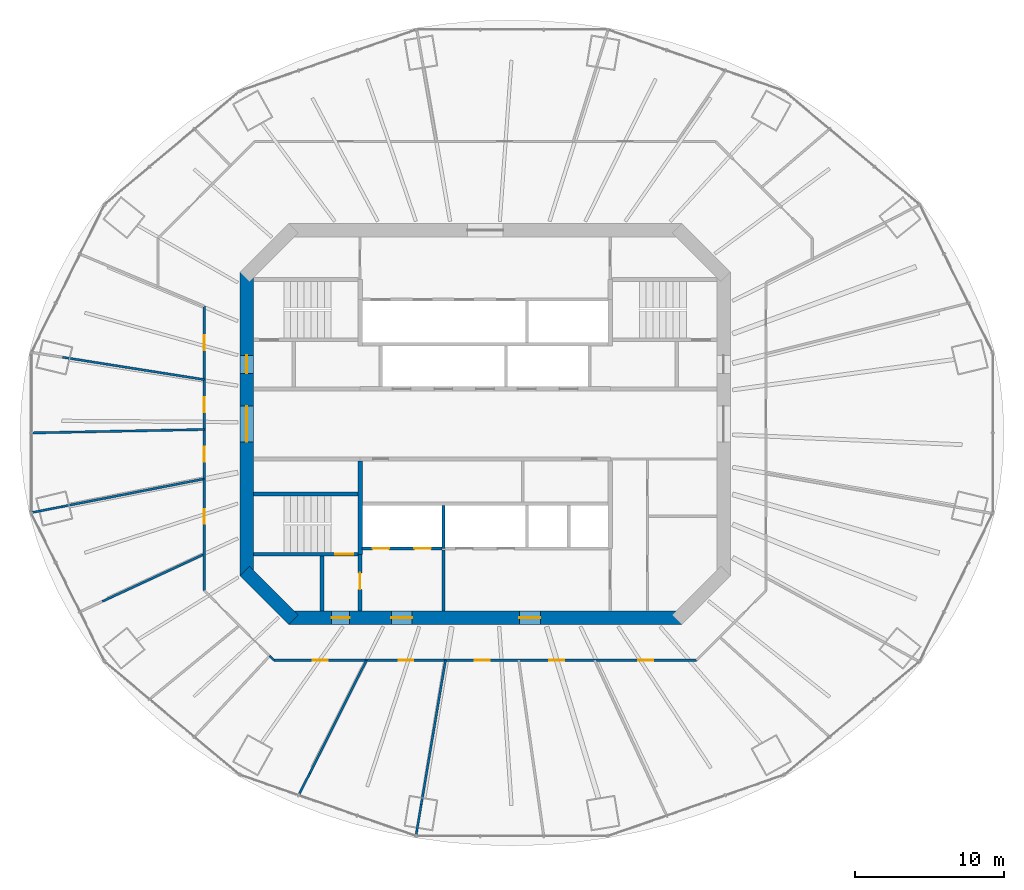
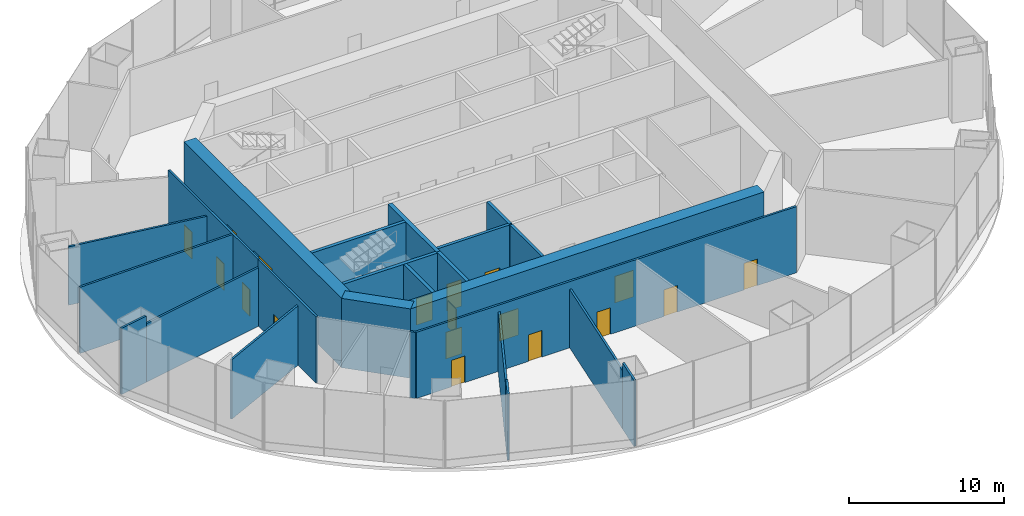
# One storey, part 11 of 15: 24 walls, 18 doors, 18 openings.
"""IFC4 building model written with IfcOpenShell, lengths in metres."""

from ifc_helpers import new_model, si_unit, direction, frame, frame_2d, origin, place, context, subcontext, project, spatial, rectangle, extrude, material, layer, layer_set, type_object, element, fill, save


model = new_model("IFC4")

# Units and contexts
model_context = context("Model", 3, precision=1e-05, world=origin(), true_north=direction((0.0, 1.0)))
body_context = subcontext(model_context, "Body", "Model", "MODEL_VIEW")
ifc_project = project(units=[si_unit("LENGTHUNIT", "METRE"), si_unit("AREAUNIT", "SQUARE_METRE"), si_unit("VOLUMEUNIT", "CUBIC_METRE"), si_unit("PLANEANGLEUNIT", "RADIAN"), si_unit("MASSUNIT", "GRAM", prefix="KILO")], contexts=[model_context])

# Site, building, storey
site_placement = place(None, origin())
site = spatial("IfcSite", under=ifc_project, at=site_placement, CompositionType="ELEMENT")
building_placement = place(site_placement, origin())
building = spatial("IfcBuilding", under=site, at=building_placement, Name="Marenthal Gate Tower", CompositionType="ELEMENT")
storey_placement = place(building_placement, frame((0.0, 0.0, 155.64990234375)))
storey = spatial("IfcBuildingStorey", under=building, at=storey_placement, Name="L33", CompositionType="ELEMENT", Elevation=155.64990234375)

# Wall, openings, doors
ifc_material_1 = material(Name="Concrete 60 MPa", Category="concrete")
ifc_layer_1 = layer(ifc_material_1, 0.89990234375)
ifc_layer_set_1 = layer_set([ifc_layer_1], Name="Core shear wall 900")
wall_type_1 = type_object("IfcWallType", Name="Core shear wall 900", PredefinedType="SHEAR", material=ifc_layer_set_1)
wall_1_placement = place(storey_placement, frame((-16.0, 10.186279296875, -0.25), z_axis=(0.0, 0.0, 1.0), x_axis=(0.0, -1.0, 0.0)))
wall_1 = element("IfcWall", 1, at=wall_1_placement, inside=storey, type_object=wall_type_1, Name="Core wall 06", PredefinedType="SHEAR", context=body_context, shape_type="SweptSolid", body=[
    extrude(rectangle(XDim=20.37255859375, YDim=0.89990234375, at=frame_2d((10.186279296875, 0.0))), origin(), (0.0, 0.0, 1.0), 5.47021484375),
])
opening_1_placement = place(wall_1_placement, frame((8.986328125, 0.0, 0.25)))
opening_1 = element("IfcOpeningElement", 2, at=opening_1_placement, cuts=wall_1, Name="Opening D003.01", PredefinedType="OPENING", context=body_context, shape_type="SweptSolid", body=[
    extrude(rectangle(XDim=2.39990234375, YDim=2.10009765625, at=frame_2d((1.199951171875, 1.050048828125))), frame((0.0, 0.4599609375, 0.0), z_axis=(0.0, -1.0, 0.0), x_axis=(1.0, 0.0, 0.0)), (0.0, 0.0, 1.0), 0.919921875),
])
opening_2_placement = place(wall_1_placement, frame((5.58642578125, 0.0, 0.25)))
opening_2 = element("IfcOpeningElement", 3, at=opening_2_placement, cuts=wall_1, Name="Opening D001.04", PredefinedType="OPENING", context=body_context, shape_type="SweptSolid", body=[
    extrude(rectangle(XDim=1.199951171875, YDim=2.10009765625, at=frame_2d((0.60009765625, 1.050048828125))), frame((0.0, 0.4599609375, 0.0), z_axis=(0.0, -1.0, 0.0), x_axis=(1.0, 0.0, 0.0)), (0.0, 0.0, 1.0), 0.919921875),
])
ifc_material_2 = material(Name="Steel fire door", Category="steel")
door_type_1 = type_object("IfcDoorType", Name="Double fire door FD 45 2400 x 2100", OperationType="DOUBLE_DOOR_SINGLE_SWING", PredefinedType="DOOR", material=ifc_material_2)
door_1_placement = place(opening_1_placement, origin())
door_1 = element("IfcDoor", 4, at=door_1_placement, inside=storey, type_object=door_type_1, Name="Door D003.01", OperationType="DOUBLE_DOOR_SINGLE_SWING", OverallHeight=2.10009765625, OverallWidth=2.39990234375, PredefinedType="DOOR", context=body_context, shape_type="SweptSolid", body=[
    extrude(rectangle(XDim=2.39990234375, YDim=2.10009765625, at=frame_2d((1.199951171875, 1.050048828125))), frame((0.0, 0.02490234375, 0.0), z_axis=(0.0, -1.0, 0.0), x_axis=(1.0, 0.0, 0.0)), (0.0, 0.0, 1.0), 0.050048828125),
])
fill(opening_1, door_1)
ifc_material_3 = material(Name="Steel fire door", Category="steel")
door_type_2 = type_object("IfcDoorType", Name="Fire door FD 90 1200 x 2100", OperationType="NOTDEFINED", PredefinedType="DOOR", material=ifc_material_3)
door_2_placement = place(opening_2_placement, origin())
door_2 = element("IfcDoor", 5, at=door_2_placement, inside=storey, type_object=door_type_2, Name="Door D001.04", OperationType="SINGLE_SWING_RIGHT", OverallHeight=2.10009765625, OverallWidth=1.199951171875, PredefinedType="DOOR", context=body_context, shape_type="SweptSolid", body=[
    extrude(rectangle(XDim=1.199951171875, YDim=2.10009765625, at=frame_2d((0.60009765625, 1.050048828125))), frame((0.0, 0.02490234375, 0.0), z_axis=(0.0, -1.0, 0.0), x_axis=(1.0, 0.0, 0.0)), (0.0, 0.0, 1.0), 0.050048828125),
])
fill(opening_2, door_2)

# Wall
wall_2_placement = place(storey_placement, frame((-16.1318359375, -9.8681640625, -0.25), z_axis=(0.0, 0.0, 1.0), x_axis=(0.707106781187, -0.707106781187, 0.0)))
element("IfcWall", 6, at=wall_2_placement, inside=storey, type_object=wall_type_1, Name="Core wall 07", PredefinedType="SHEAR", context=body_context, shape_type="SweptSolid", body=[
    extrude(rectangle(XDim=4.615478515625, YDim=0.89990234375, at=frame_2d((2.3076171875, 0.0))), origin(), (0.0, 0.0, 1.0), 5.47021484375),
])

# Wall, openings, doors
wall_3_placement = place(storey_placement, frame((-13.186279296875, -13.0, -0.25), z_axis=(0.0, 0.0, 1.0), x_axis=(1.0, 0.0, 0.0)))
wall_3 = element("IfcWall", 7, at=wall_3_placement, inside=storey, type_object=wall_type_1, Name="Core wall 08", PredefinedType="SHEAR", context=body_context, shape_type="SweptSolid", body=[
    extrude(rectangle(XDim=26.37255859375, YDim=0.89990234375, at=frame_2d((13.186279296875, 0.0))), origin(), (0.0, 0.0, 1.0), 5.47021484375),
])
opening_3_placement = place(wall_3_placement, frame((2.886474609375, 0.0, 0.25)))
opening_3 = element("IfcOpeningElement", 8, at=opening_3_placement, cuts=wall_3, Name="Opening D001.06", PredefinedType="OPENING", context=body_context, shape_type="SweptSolid", body=[
    extrude(rectangle(XDim=1.199951171875, YDim=2.10009765625, at=frame_2d((0.60009765625, 1.050048828125))), frame((0.0, 0.4599609375, 0.0), z_axis=(0.0, -1.0, 0.0), x_axis=(1.0, 0.0, 0.0)), (0.0, 0.0, 1.0), 0.919921875),
])
opening_4_placement = place(wall_3_placement, frame((6.886474609375, 0.0, 0.25)))
opening_4 = element("IfcOpeningElement", 9, at=opening_4_placement, cuts=wall_3, Name="Opening D004.01", PredefinedType="OPENING", context=body_context, shape_type="SweptSolid", body=[
    extrude(rectangle(XDim=1.39990234375, YDim=2.10009765625, at=frame_2d((0.699951171875, 1.050048828125))), frame((0.0, 0.4599609375, 0.0), z_axis=(0.0, -1.0, 0.0), x_axis=(1.0, 0.0, 0.0)), (0.0, 0.0, 1.0), 0.919921875),
])
opening_5_placement = place(wall_3_placement, frame((15.486328125, 0.0, 0.25)))
opening_5 = element("IfcOpeningElement", 10, at=opening_5_placement, cuts=wall_3, Name="Opening D004.02", PredefinedType="OPENING", context=body_context, shape_type="SweptSolid", body=[
    extrude(rectangle(XDim=1.39990234375, YDim=2.10009765625, at=frame_2d((0.699951171875, 1.050048828125))), frame((0.0, 0.4599609375, 0.0), z_axis=(0.0, -1.0, 0.0), x_axis=(1.0, 0.0, 0.0)), (0.0, 0.0, 1.0), 0.919921875),
])
ifc_material_4 = material(Name="Steel fire door", Category="steel")
door_type_3 = type_object("IfcDoorType", Name="Fire door FD 45 1400 x 2100", OperationType="NOTDEFINED", PredefinedType="DOOR", material=ifc_material_4)
door_3_placement = place(opening_4_placement, origin())
door_3 = element("IfcDoor", 11, at=door_3_placement, inside=storey, type_object=door_type_3, Name="Door D004.01", OperationType="SINGLE_SWING_RIGHT", OverallHeight=2.10009765625, OverallWidth=1.39990234375, PredefinedType="DOOR", context=body_context, shape_type="SweptSolid", body=[
    extrude(rectangle(XDim=1.39990234375, YDim=2.10009765625, at=frame_2d((0.699951171875, 1.050048828125))), frame((0.0, 0.02490234375, 0.0), z_axis=(0.0, -1.0, 0.0), x_axis=(1.0, 0.0, 0.0)), (0.0, 0.0, 1.0), 0.050048828125),
])
fill(opening_4, door_3)
door_4_placement = place(opening_5_placement, origin())
door_4 = element("IfcDoor", 12, at=door_4_placement, inside=storey, type_object=door_type_3, Name="Door D004.02", OperationType="SINGLE_SWING_RIGHT", OverallHeight=2.10009765625, OverallWidth=1.39990234375, PredefinedType="DOOR", context=body_context, shape_type="SweptSolid", body=[
    extrude(rectangle(XDim=1.39990234375, YDim=2.10009765625, at=frame_2d((0.699951171875, 1.050048828125))), frame((0.0, 0.02490234375, 0.0), z_axis=(0.0, -1.0, 0.0), x_axis=(1.0, 0.0, 0.0)), (0.0, 0.0, 1.0), 0.050048828125),
])
fill(opening_5, door_4)
door_5_placement = place(opening_3_placement, origin())
door_5 = element("IfcDoor", 13, at=door_5_placement, inside=storey, type_object=door_type_2, Name="Door D001.06", OperationType="SINGLE_SWING_RIGHT", OverallHeight=2.10009765625, OverallWidth=1.199951171875, PredefinedType="DOOR", context=body_context, shape_type="SweptSolid", body=[
    extrude(rectangle(XDim=1.199951171875, YDim=2.10009765625, at=frame_2d((0.60009765625, 1.050048828125))), frame((0.0, 0.02490234375, 0.0), z_axis=(0.0, -1.0, 0.0), x_axis=(1.0, 0.0, 0.0)), (0.0, 0.0, 1.0), 0.050048828125),
])
fill(opening_3, door_5)

# Walls
ifc_material_5 = material(Name="Gypsum board on steel studs", Category="steel")
ifc_layer_2 = layer(ifc_material_5, 0.199951171875)
ifc_layer_set_2 = layer_set([ifc_layer_2], Name="Fire lobby wall 200")
wall_type_2 = type_object("IfcWallType", Name="Fire lobby wall 200", PredefinedType="PARTITIONING", material=ifc_layer_set_2)
wall_4_placement = place(storey_placement, frame((-2.800048828125, -12.550048828125, 0.0), z_axis=(0.0, 0.0, 1.0), x_axis=(0.0, 1.0, 0.0)))
element("IfcWall", 14, at=wall_4_placement, inside=storey, type_object=wall_type_2, Name="Fire wall 35", PredefinedType="PARTITIONING", context=body_context, shape_type="SweptSolid", body=[
    extrude(rectangle(XDim=4.090087890625, YDim=0.199951171875, at=frame_2d((2.044921875, 0.0))), origin(), (0.0, 0.0, 1.0), 5.22021484375),
])
ifc_material_6 = material(Name="Concrete 50 MPa", Category="concrete")
ifc_layer_3 = layer(ifc_material_6, 0.300048828125)
ifc_layer_set_3 = layer_set([ifc_layer_3], Name="Hoistway shear wall 300")
wall_type_3 = type_object("IfcWallType", Name="Hoistway shear wall 300", PredefinedType="SHEAR", material=ifc_layer_set_3)
wall_5_placement = place(storey_placement, frame((-8.39990234375, -8.75, -0.25), z_axis=(0.0, 0.0, 1.0), x_axis=(0.0, 1.0, 0.0)))
element("IfcWall", 15, at=wall_5_placement, inside=storey, type_object=wall_type_3, Name="Hoistway wall 30", PredefinedType="SHEAR", context=body_context, shape_type="SweptSolid", body=[
    extrude(rectangle(XDim=6.25, YDim=0.300048828125, at=frame_2d((3.125, 0.0))), origin(), (0.0, 0.0, 1.0), 5.47021484375),
])

# Wall, openings, doors
ifc_material_7 = material(Name="Concrete 40 MPa", Category="concrete")
ifc_layer_4 = layer(ifc_material_7, 0.219970703125)
ifc_layer_set_4 = layer_set([ifc_layer_4], Name="Hoistway wall 220")
wall_type_4 = type_object("IfcWallType", Name="Hoistway wall 220", PredefinedType="STANDARD", material=ifc_layer_set_4)
wall_6_placement = place(storey_placement, frame((-8.25, -8.35009765625, 0.0), z_axis=(0.0, 0.0, 1.0), x_axis=(1.0, 0.0, 0.0)))
wall_6 = element("IfcWall", 16, at=wall_6_placement, inside=storey, type_object=wall_type_4, Name="Hoistway wall 10", PredefinedType="STANDARD", context=body_context, shape_type="SweptSolid", body=[
    extrude(rectangle(XDim=5.340087890625, YDim=0.219970703125, at=frame_2d((2.669921875, 0.0))), origin(), (0.0, 0.0, 1.0), 5.22021484375),
])
opening_6_placement = place(wall_6_placement, frame((0.699951171875, 0.0, 0.0)))
opening_6 = element("IfcOpeningElement", 17, at=opening_6_placement, cuts=wall_6, Name="Opening LD-LF1", PredefinedType="OPENING", context=body_context, shape_type="SweptSolid", body=[
    extrude(rectangle(XDim=1.10009765625, YDim=2.10009765625, at=frame_2d((0.550048828125, 1.050048828125))), frame((0.0, 0.1201171875, 0.0), z_axis=(0.0, -1.0, 0.0), x_axis=(1.0, 0.0, 0.0)), (0.0, 0.0, 1.0), 0.239990234375),
])
opening_7_placement = place(wall_6_placement, frame((3.5, 0.0, 0.0)))
opening_7 = element("IfcOpeningElement", 18, at=opening_7_placement, cuts=wall_6, Name="Opening LD-LF2", PredefinedType="OPENING", context=body_context, shape_type="SweptSolid", body=[
    extrude(rectangle(XDim=1.10009765625, YDim=2.10009765625, at=frame_2d((0.550048828125, 1.050048828125))), frame((0.0, 0.1201171875, 0.0), z_axis=(0.0, -1.0, 0.0), x_axis=(1.0, 0.0, 0.0)), (0.0, 0.0, 1.0), 0.239990234375),
])
ifc_material_8 = material(Name="Stainless steel sliding door", Category="steel")
door_type_4 = type_object("IfcDoorType", Name="Lift landing door FD 90 1100 x 2100", OperationType="DOUBLE_DOOR_SLIDING", PredefinedType="DOOR", material=ifc_material_8)
door_6_placement = place(opening_6_placement, origin())
door_6 = element("IfcDoor", 19, at=door_6_placement, inside=storey, type_object=door_type_4, Name="Lift landing door LF1", OperationType="DOUBLE_DOOR_SLIDING", OverallHeight=2.10009765625, OverallWidth=1.10009765625, PredefinedType="DOOR", context=body_context, shape_type="SweptSolid", body=[
    extrude(rectangle(XDim=1.10009765625, YDim=2.10009765625, at=frame_2d((0.550048828125, 1.050048828125))), frame((0.0, 0.02490234375, 0.0), z_axis=(0.0, -1.0, 0.0), x_axis=(1.0, 0.0, 0.0)), (0.0, 0.0, 1.0), 0.050048828125),
])
fill(opening_6, door_6)
door_7_placement = place(opening_7_placement, origin())
door_7 = element("IfcDoor", 20, at=door_7_placement, inside=storey, type_object=door_type_4, Name="Lift landing door LF2", OperationType="DOUBLE_DOOR_SLIDING", OverallHeight=2.10009765625, OverallWidth=1.10009765625, PredefinedType="DOOR", context=body_context, shape_type="SweptSolid", body=[
    extrude(rectangle(XDim=1.10009765625, YDim=2.10009765625, at=frame_2d((0.550048828125, 1.050048828125))), frame((0.0, 0.02490234375, 0.0), z_axis=(0.0, -1.0, 0.0), x_axis=(1.0, 0.0, 0.0)), (0.0, 0.0, 1.0), 0.050048828125),
])
fill(opening_7, door_7)

# Wall
wall_7_placement = place(storey_placement, frame((-2.800048828125, -8.35009765625, 0.0), z_axis=(0.0, 0.0, 1.0), x_axis=(0.0, 1.0, 0.0)))
element("IfcWall", 21, at=wall_7_placement, inside=storey, type_object=wall_type_4, Name="Hoistway wall 36", PredefinedType="STANDARD", context=body_context, shape_type="SweptSolid", body=[
    extrude(rectangle(XDim=2.89013671875, YDim=0.219970703125, at=frame_2d((1.445068359375, 0.0))), origin(), (0.0, 0.0, 1.0), 5.22021484375),
])

# Wall, openings, doors
ifc_material_9 = material(Name="Gypsum board on steel studs", Category="steel")
ifc_layer_5 = layer(ifc_material_9, 0.14990234375)
ifc_layer_set_5 = layer_set([ifc_layer_5], Name="Partition 150")
wall_type_5 = type_object("IfcWallType", Name="Partition 150", PredefinedType="PARTITIONING", material=ifc_layer_set_5)
wall_8_placement = place(storey_placement, frame((-14.180419921875, -15.85009765625, 0.0), z_axis=(0.0, 0.0, 1.0), x_axis=(1.0, 0.0, 0.0)))
wall_8 = element("IfcWall", 22, at=wall_8_placement, inside=storey, type_object=wall_type_5, Name="Partition wall 50", PredefinedType="PARTITIONING", context=body_context, shape_type="SweptSolid", body=[
    extrude(rectangle(XDim=28.36083984375, YDim=0.14990234375, at=frame_2d((14.180419921875, 0.0))), origin(), (0.0, 0.0, 1.0), 5.22021484375),
])
opening_8_placement = place(wall_8_placement, frame((2.610107421875, 0.0, 0.0)))
opening_8 = element("IfcOpeningElement", 23, at=opening_8_placement, cuts=wall_8, Name="Opening D012.15", PredefinedType="OPENING", context=body_context, shape_type="SweptSolid", body=[
    extrude(rectangle(XDim=1.0, YDim=2.10009765625, at=frame_2d((0.5, 1.050048828125))), frame((0.0, 0.0849609375, 0.0), z_axis=(0.0, -1.0, 0.0), x_axis=(1.0, 0.0, 0.0)), (0.0, 0.0, 1.0), 0.169921875),
])
opening_9_placement = place(wall_8_placement, frame((8.368408203125, 0.0, 0.0)))
opening_9 = element("IfcOpeningElement", 24, at=opening_9_placement, cuts=wall_8, Name="Opening D012.16", PredefinedType="OPENING", context=body_context, shape_type="SweptSolid", body=[
    extrude(rectangle(XDim=1.0, YDim=2.10009765625, at=frame_2d((0.5, 1.050048828125))), frame((0.0, 0.0849609375, 0.0), z_axis=(0.0, -1.0, 0.0), x_axis=(1.0, 0.0, 0.0)), (0.0, 0.0, 1.0), 0.169921875),
])
opening_10_placement = place(wall_8_placement, frame((13.474609375, 0.0, 0.0)))
opening_10 = element("IfcOpeningElement", 25, at=opening_10_placement, cuts=wall_8, Name="Opening D012.17", PredefinedType="OPENING", context=body_context, shape_type="SweptSolid", body=[
    extrude(rectangle(XDim=1.0, YDim=2.10009765625, at=frame_2d((0.5, 1.050048828125))), frame((0.0, 0.0849609375, 0.0), z_axis=(0.0, -1.0, 0.0), x_axis=(1.0, 0.0, 0.0)), (0.0, 0.0, 1.0), 0.169921875),
])
opening_11_placement = place(wall_8_placement, frame((18.478759765625, 0.0, 0.0)))
opening_11 = element("IfcOpeningElement", 26, at=opening_11_placement, cuts=wall_8, Name="Opening D012.18", PredefinedType="OPENING", context=body_context, shape_type="SweptSolid", body=[
    extrude(rectangle(XDim=1.0, YDim=2.10009765625, at=frame_2d((0.5, 1.050048828125))), frame((0.0, 0.0849609375, 0.0), z_axis=(0.0, -1.0, 0.0), x_axis=(1.0, 0.0, 0.0)), (0.0, 0.0, 1.0), 0.169921875),
])
opening_12_placement = place(wall_8_placement, frame((24.443359375, 0.0, 0.0)))
opening_12 = element("IfcOpeningElement", 27, at=opening_12_placement, cuts=wall_8, Name="Opening D012.19", PredefinedType="OPENING", context=body_context, shape_type="SweptSolid", body=[
    extrude(rectangle(XDim=1.0, YDim=2.10009765625, at=frame_2d((0.5, 1.050048828125))), frame((0.0, 0.0849609375, 0.0), z_axis=(0.0, -1.0, 0.0), x_axis=(1.0, 0.0, 0.0)), (0.0, 0.0, 1.0), 0.169921875),
])
ifc_material_10 = material(Name="Timber door", Category="wood")
door_type_5 = type_object("IfcDoorType", Name="Door 1000 x 2100", OperationType="NOTDEFINED", PredefinedType="DOOR", material=ifc_material_10)
door_8_placement = place(opening_8_placement, frame((1.0, 0.0, 0.0), z_axis=(0.0, 0.0, 1.0), x_axis=(-1.0, 0.0, 0.0)))
door_8 = element("IfcDoor", 28, at=door_8_placement, inside=storey, type_object=door_type_5, Name="Door D012.15", OperationType="SINGLE_SWING_LEFT", OverallHeight=2.10009765625, OverallWidth=1.0, PredefinedType="DOOR", context=body_context, shape_type="SweptSolid", body=[
    extrude(rectangle(XDim=1.0, YDim=2.10009765625, at=frame_2d((0.5, 1.050048828125))), frame((0.0, 0.02490234375, 0.0), z_axis=(0.0, -1.0, 0.0), x_axis=(1.0, 0.0, 0.0)), (0.0, 0.0, 1.0), 0.050048828125),
])
fill(opening_8, door_8)
door_9_placement = place(opening_9_placement, frame((1.0, 0.0, 0.0), z_axis=(0.0, 0.0, 1.0), x_axis=(-1.0, 0.0, 0.0)))
door_9 = element("IfcDoor", 29, at=door_9_placement, inside=storey, type_object=door_type_5, Name="Door D012.16", OperationType="SINGLE_SWING_LEFT", OverallHeight=2.10009765625, OverallWidth=1.0, PredefinedType="DOOR", context=body_context, shape_type="SweptSolid", body=[
    extrude(rectangle(XDim=1.0, YDim=2.10009765625, at=frame_2d((0.5, 1.050048828125))), frame((0.0, 0.02490234375, 0.0), z_axis=(0.0, -1.0, 0.0), x_axis=(1.0, 0.0, 0.0)), (0.0, 0.0, 1.0), 0.050048828125),
])
fill(opening_9, door_9)
door_10_placement = place(opening_10_placement, frame((1.0, 0.0, 0.0), z_axis=(0.0, 0.0, 1.0), x_axis=(-1.0, 0.0, 0.0)))
door_10 = element("IfcDoor", 30, at=door_10_placement, inside=storey, type_object=door_type_5, Name="Door D012.17", OperationType="SINGLE_SWING_LEFT", OverallHeight=2.10009765625, OverallWidth=1.0, PredefinedType="DOOR", context=body_context, shape_type="SweptSolid", body=[
    extrude(rectangle(XDim=1.0, YDim=2.10009765625, at=frame_2d((0.5, 1.050048828125))), frame((0.0, 0.02490234375, 0.0), z_axis=(0.0, -1.0, 0.0), x_axis=(1.0, 0.0, 0.0)), (0.0, 0.0, 1.0), 0.050048828125),
])
fill(opening_10, door_10)
door_11_placement = place(opening_11_placement, frame((1.0, 0.0, 0.0), z_axis=(0.0, 0.0, 1.0), x_axis=(-1.0, 0.0, 0.0)))
door_11 = element("IfcDoor", 31, at=door_11_placement, inside=storey, type_object=door_type_5, Name="Door D012.18", OperationType="SINGLE_SWING_LEFT", OverallHeight=2.10009765625, OverallWidth=1.0, PredefinedType="DOOR", context=body_context, shape_type="SweptSolid", body=[
    extrude(rectangle(XDim=1.0, YDim=2.10009765625, at=frame_2d((0.5, 1.050048828125))), frame((0.0, 0.02490234375, 0.0), z_axis=(0.0, -1.0, 0.0), x_axis=(1.0, 0.0, 0.0)), (0.0, 0.0, 1.0), 0.050048828125),
])
fill(opening_11, door_11)
door_12_placement = place(opening_12_placement, frame((1.0, 0.0, 0.0), z_axis=(0.0, 0.0, 1.0), x_axis=(-1.0, 0.0, 0.0)))
door_12 = element("IfcDoor", 32, at=door_12_placement, inside=storey, type_object=door_type_5, Name="Door D012.19", OperationType="SINGLE_SWING_LEFT", OverallHeight=2.10009765625, OverallWidth=1.0, PredefinedType="DOOR", context=body_context, shape_type="SweptSolid", body=[
    extrude(rectangle(XDim=1.0, YDim=2.10009765625, at=frame_2d((0.5, 1.050048828125))), frame((0.0, 0.02490234375, 0.0), z_axis=(0.0, -1.0, 0.0), x_axis=(1.0, 0.0, 0.0)), (0.0, 0.0, 1.0), 0.050048828125),
])
fill(opening_12, door_12)

# Walls
wall_9_placement = place(storey_placement, frame((-30.447021484375, -0.599609375, 0.0), z_axis=(0.0, 0.0, 1.0), x_axis=(0.999805915994, 0.019701023923, 0.0)))
element("IfcWall", 33, at=wall_9_placement, inside=storey, type_object=wall_type_5, Name="Partition wall 52", PredefinedType="PARTITIONING", context=body_context, shape_type="SweptSolid", body=[
    extrude(rectangle(XDim=11.59912109375, YDim=0.14990234375, at=frame_2d((5.799560546875, 0.0))), origin(), (0.0, 0.0, 1.0), 5.22021484375),
])
wall_10_placement = place(storey_placement, frame((-12.506103515625, -24.900390625, 0.0), z_axis=(0.0, 0.0, 1.0), x_axis=(0.448873121894, 0.893595501578, 0.0)))
element("IfcWall", 34, at=wall_10_placement, inside=storey, type_object=wall_type_5, Name="Partition wall 59", PredefinedType="PARTITIONING", context=body_context, shape_type="SweptSolid", body=[
    extrude(rectangle(XDim=1.64697265625, YDim=0.14990234375, at=frame_2d((0.823486328125, 0.0))), origin(), (0.0, 0.0, 1.0), 5.22021484375),
])
wall_11_placement = place(storey_placement, frame((-11.766845703125, -23.4287109375, 0.0), z_axis=(0.0, 0.0, 1.0), x_axis=(0.448824965696, 0.893619689895, 0.0)))
element("IfcWall", 35, at=wall_11_placement, inside=storey, type_object=wall_type_5, Name="Partition wall 85", PredefinedType="PARTITIONING", context=body_context, shape_type="SweptSolid", body=[
    extrude(rectangle(XDim=8.480712890625, YDim=0.14990234375, at=frame_2d((4.240234375, 0.0))), origin(), (0.0, 0.0, 1.0), 4.68408203125),
])
wall_12_placement = place(storey_placement, frame((-4.643310546875, -27.6318359375, 0.0), z_axis=(0.0, 0.0, 1.0), x_axis=(0.16573510633, 0.986170307062, 0.0)))
element("IfcWall", 36, at=wall_12_placement, inside=storey, type_object=wall_type_5, Name="Partition wall 61", PredefinedType="PARTITIONING", context=body_context, shape_type="SweptSolid", body=[
    extrude(rectangle(XDim=2.103515625, YDim=0.14990234375, at=frame_2d((1.0517578125, 0.0))), origin(), (0.0, 0.0, 1.0), 5.22021484375),
])
wall_13_placement = place(storey_placement, frame((-4.294677734375, -25.557373046875, 0.0), z_axis=(0.0, 0.0, 1.0), x_axis=(0.165706005705, 0.986175197251, 0.0)))
element("IfcWall", 37, at=wall_13_placement, inside=storey, type_object=wall_type_5, Name="Partition wall 87", PredefinedType="PARTITIONING", context=body_context, shape_type="SweptSolid", body=[
    extrude(rectangle(XDim=9.84326171875, YDim=0.14990234375, at=frame_2d((4.921630859375, 0.0))), origin(), (0.0, 0.0, 1.0), 4.608154296875),
])

# Wall, openings, doors
wall_14_placement = place(storey_placement, frame((-18.85009765625, -3.688232421875, 0.0), z_axis=(0.0, 0.0, 1.0), x_axis=(0.0, 1.0, 0.0)))
wall_14 = element("IfcWall", 38, at=wall_14_placement, inside=storey, type_object=wall_type_5, Name="Partition wall 64", PredefinedType="PARTITIONING", context=body_context, shape_type="SweptSolid", body=[
    extrude(rectangle(XDim=11.598388671875, YDim=0.14990234375, at=frame_2d((5.79931640625, 0.0))), origin(), (0.0, 0.0, 1.0), 5.22021484375),
])
opening_13_placement = place(wall_14_placement, frame((8.629150390625, 0.0, 0.0)))
opening_13 = element("IfcOpeningElement", 39, at=opening_13_placement, cuts=wall_14, Name="Opening D012.09", PredefinedType="OPENING", context=body_context, shape_type="SweptSolid", body=[
    extrude(rectangle(XDim=1.0, YDim=2.10009765625, at=frame_2d((0.5, 1.050048828125))), frame((0.0, 0.0849609375, 0.0), z_axis=(0.0, -1.0, 0.0), x_axis=(1.0, 0.0, 0.0)), (0.0, 0.0, 1.0), 0.169921875),
])
opening_14_placement = place(wall_14_placement, frame((4.4912109375, 0.0, 0.0)))
opening_14 = element("IfcOpeningElement", 40, at=opening_14_placement, cuts=wall_14, Name="Opening D012.10", PredefinedType="OPENING", context=body_context, shape_type="SweptSolid", body=[
    extrude(rectangle(XDim=1.0, YDim=2.10009765625, at=frame_2d((0.5, 1.050048828125))), frame((0.0, 0.0849609375, 0.0), z_axis=(0.0, -1.0, 0.0), x_axis=(1.0, 0.0, 0.0)), (0.0, 0.0, 1.0), 0.169921875),
])
opening_15_placement = place(wall_14_placement, frame((1.160888671875, 0.0, 0.0)))
opening_15 = element("IfcOpeningElement", 41, at=opening_15_placement, cuts=wall_14, Name="Opening D012.11", PredefinedType="OPENING", context=body_context, shape_type="SweptSolid", body=[
    extrude(rectangle(XDim=1.0, YDim=2.10009765625, at=frame_2d((0.5, 1.050048828125))), frame((0.0, 0.0849609375, 0.0), z_axis=(0.0, -1.0, 0.0), x_axis=(1.0, 0.0, 0.0)), (0.0, 0.0, 1.0), 0.169921875),
])
door_13_placement = place(opening_13_placement, origin())
door_13 = element("IfcDoor", 42, at=door_13_placement, inside=storey, type_object=door_type_5, Name="Door D012.09", OperationType="SINGLE_SWING_RIGHT", OverallHeight=2.10009765625, OverallWidth=1.0, PredefinedType="DOOR", context=body_context, shape_type="SweptSolid", body=[
    extrude(rectangle(XDim=1.0, YDim=2.10009765625, at=frame_2d((0.5, 1.050048828125))), frame((0.0, 0.02490234375, 0.0), z_axis=(0.0, -1.0, 0.0), x_axis=(1.0, 0.0, 0.0)), (0.0, 0.0, 1.0), 0.050048828125),
])
fill(opening_13, door_13)
door_14_placement = place(opening_14_placement, origin())
door_14 = element("IfcDoor", 43, at=door_14_placement, inside=storey, type_object=door_type_5, Name="Door D012.10", OperationType="SINGLE_SWING_RIGHT", OverallHeight=2.10009765625, OverallWidth=1.0, PredefinedType="DOOR", context=body_context, shape_type="SweptSolid", body=[
    extrude(rectangle(XDim=1.0, YDim=2.10009765625, at=frame_2d((0.5, 1.050048828125))), frame((0.0, 0.02490234375, 0.0), z_axis=(0.0, -1.0, 0.0), x_axis=(1.0, 0.0, 0.0)), (0.0, 0.0, 1.0), 0.050048828125),
])
fill(opening_14, door_14)
door_15_placement = place(opening_15_placement, origin())
door_15 = element("IfcDoor", 44, at=door_15_placement, inside=storey, type_object=door_type_5, Name="Door D012.11", OperationType="SINGLE_SWING_RIGHT", OverallHeight=2.10009765625, OverallWidth=1.0, PredefinedType="DOOR", context=body_context, shape_type="SweptSolid", body=[
    extrude(rectangle(XDim=1.0, YDim=2.10009765625, at=frame_2d((0.5, 1.050048828125))), frame((0.0, 0.02490234375, 0.0), z_axis=(0.0, -1.0, 0.0), x_axis=(1.0, 0.0, 0.0)), (0.0, 0.0, 1.0), 0.050048828125),
])
fill(opening_15, door_15)

# Walls
wall_15_placement = place(storey_placement, frame((-14.180419921875, -15.85009765625, 0.0), z_axis=(0.0, 0.0, 1.0), x_axis=(-0.707106781187, 0.707106781187, 0.0)))
element("IfcWall", 45, at=wall_15_placement, inside=storey, type_object=wall_type_5, Name="Partition wall 71", PredefinedType="PARTITIONING", context=body_context, shape_type="SweptSolid", body=[
    extrude(rectangle(XDim=0.406005859375, YDim=0.14990234375, at=frame_2d((0.203125, 0.0))), origin(), (0.0, 0.0, 1.0), 5.22021484375),
])
wall_16_placement = place(storey_placement, frame((-18.85009765625, 2.97705078125, 0.0), z_axis=(0.0, 0.0, 1.0), x_axis=(-0.987756177072, 0.156005559696, 0.0)))
element("IfcWall", 46, at=wall_16_placement, inside=storey, type_object=wall_type_5, Name="Partition wall 76", PredefinedType="PARTITIONING", context=body_context, shape_type="SweptSolid", body=[
    extrude(rectangle(XDim=9.62451171875, YDim=0.14990234375, at=frame_2d((4.812255859375, 0.0))), origin(), (0.0, 0.0, 1.0), 4.608154296875),
])
ifc_material_11 = material(Name="Concrete 40 MPa", Category="concrete")
ifc_layer_6 = layer(ifc_material_11, 0.25)
ifc_layer_set_6 = layer_set([ifc_layer_6], Name="Stair enclosure wall 250")
wall_type_6 = type_object("IfcWallType", Name="Stair enclosure wall 250", PredefinedType="STANDARD", material=ifc_layer_set_6)
wall_17_placement = place(storey_placement, frame((-10.949951171875, -12.550048828125, 0.0), z_axis=(0.0, 0.0, 1.0), x_axis=(0.0, 1.0, 0.0)))
element("IfcWall", 47, at=wall_17_placement, inside=storey, type_object=wall_type_6, Name="Stair wall 28", PredefinedType="STANDARD", context=body_context, shape_type="SweptSolid", body=[
    extrude(rectangle(XDim=3.675048828125, YDim=0.25, at=frame_2d((1.83740234375, 0.0))), origin(), (0.0, 0.0, 1.0), 5.22021484375),
])

# Wall, opening, door
wall_18_placement = place(storey_placement, frame((-8.39990234375, -12.550048828125, 0.0), z_axis=(0.0, 0.0, 1.0), x_axis=(0.0, 1.0, 0.0)))
wall_18 = element("IfcWall", 48, at=wall_18_placement, inside=storey, type_object=wall_type_6, Name="Stair wall 29", PredefinedType="STANDARD", context=body_context, shape_type="SweptSolid", body=[
    extrude(rectangle(XDim=3.800048828125, YDim=0.25, at=frame_2d((1.89990234375, 0.0))), origin(), (0.0, 0.0, 1.0), 5.22021484375),
])
opening_16_placement = place(wall_18_placement, frame((1.449951171875, 0.0, 0.0)))
opening_16 = element("IfcOpeningElement", 49, at=opening_16_placement, cuts=wall_18, Name="Opening D002.01", PredefinedType="OPENING", context=body_context, shape_type="SweptSolid", body=[
    extrude(rectangle(XDim=1.10009765625, YDim=2.10009765625, at=frame_2d((0.550048828125, 1.050048828125))), frame((0.0, 0.135009765625, 0.0), z_axis=(0.0, -1.0, 0.0), x_axis=(1.0, 0.0, 0.0)), (0.0, 0.0, 1.0), 0.27001953125),
])
ifc_material_12 = material(Name="Steel fire door", Category="steel")
door_type_6 = type_object("IfcDoorType", Name="Fire door FD 90 1100 x 2100", OperationType="NOTDEFINED", PredefinedType="DOOR", material=ifc_material_12)
door_16_placement = place(opening_16_placement, origin())
door_16 = element("IfcDoor", 50, at=door_16_placement, inside=storey, type_object=door_type_6, Name="Door D002.01", OperationType="SINGLE_SWING_RIGHT", OverallHeight=2.10009765625, OverallWidth=1.10009765625, PredefinedType="DOOR", context=body_context, shape_type="SweptSolid", body=[
    extrude(rectangle(XDim=1.10009765625, YDim=2.10009765625, at=frame_2d((0.550048828125, 1.050048828125))), frame((0.0, 0.02490234375, 0.0), z_axis=(0.0, -1.0, 0.0), x_axis=(1.0, 0.0, 0.0)), (0.0, 0.0, 1.0), 0.050048828125),
])
fill(opening_16, door_16)

ifc_material_13 = material(Name="Concrete 50 MPa", Category="concrete")
ifc_layer_7 = layer(ifc_material_13, 0.25)
ifc_layer_set_7 = layer_set([ifc_layer_7], Name="Stair shear wall 250")
wall_type_7 = type_object("IfcWallType", Name="Stair shear wall 250", PredefinedType="SHEAR", material=ifc_layer_set_7)
wall_19_placement = place(storey_placement, frame((-15.550048828125, -8.75, -0.25), z_axis=(0.0, 0.0, 1.0), x_axis=(1.0, 0.0, 0.0)))
wall_19 = element("IfcWall", 51, at=wall_19_placement, inside=storey, type_object=wall_type_7, Name="Stair wall 09", PredefinedType="SHEAR", context=body_context, shape_type="SweptSolid", body=[
    extrude(rectangle(XDim=7.0, YDim=0.25, at=frame_2d((3.5, 0.0))), origin(), (0.0, 0.0, 1.0), 5.47021484375),
])
opening_17_placement = place(wall_19_placement, frame((5.5, 0.0, 0.25)))
opening_17 = element("IfcOpeningElement", 52, at=opening_17_placement, cuts=wall_19, Name="Opening D001.03", PredefinedType="OPENING", context=body_context, shape_type="SweptSolid", body=[
    extrude(rectangle(XDim=1.199951171875, YDim=2.10009765625, at=frame_2d((0.60009765625, 1.050048828125))), frame((0.0, 0.135009765625, 0.0), z_axis=(0.0, -1.0, 0.0), x_axis=(1.0, 0.0, 0.0)), (0.0, 0.0, 1.0), 0.27001953125),
])
door_17_placement = place(opening_17_placement, origin())
door_17 = element("IfcDoor", 53, at=door_17_placement, inside=storey, type_object=door_type_2, Name="Door D001.03", OperationType="SINGLE_SWING_RIGHT", OverallHeight=2.10009765625, OverallWidth=1.199951171875, PredefinedType="DOOR", context=body_context, shape_type="SweptSolid", body=[
    extrude(rectangle(XDim=1.199951171875, YDim=2.10009765625, at=frame_2d((0.60009765625, 1.050048828125))), frame((0.0, 0.02490234375, 0.0), z_axis=(0.0, -1.0, 0.0), x_axis=(1.0, 0.0, 0.0)), (0.0, 0.0, 1.0), 0.050048828125),
])
fill(opening_17, door_17)

# Walls
wall_20_placement = place(storey_placement, frame((-15.550048828125, -4.699951171875, -0.25), z_axis=(0.0, 0.0, 1.0), x_axis=(1.0, 0.0, 0.0)))
element("IfcWall", 54, at=wall_20_placement, inside=storey, type_object=wall_type_7, Name="Stair wall 14", PredefinedType="SHEAR", context=body_context, shape_type="SweptSolid", body=[
    extrude(rectangle(XDim=7.0, YDim=0.25, at=frame_2d((3.5, 0.0))), origin(), (0.0, 0.0, 1.0), 5.47021484375),
])
ifc_material_14 = material(Name="Gypsum board on steel studs", Category="steel")
ifc_layer_8 = layer(ifc_material_14, 0.14990234375)
ifc_layer_set_8 = layer_set([ifc_layer_8], Name="Wet room partition 150")
wall_type_8 = type_object("IfcWallType", Name="Wet room partition 150", PredefinedType="PARTITIONING", material=ifc_layer_set_8)
wall_21_placement = place(storey_placement, frame((-30.447021484375, -5.948974609375, 0.0), z_axis=(0.0, 0.0, 1.0), x_axis=(0.981449626538, 0.191720188214, 0.0)))
element("IfcWall", 55, at=wall_21_placement, inside=storey, type_object=wall_type_8, Name="Wet wall 77", PredefinedType="PARTITIONING", context=body_context, shape_type="SweptSolid", body=[
    extrude(rectangle(XDim=2.10498046875, YDim=0.14990234375, at=frame_2d((1.052490234375, 0.0))), origin(), (0.0, 0.0, 1.0), 5.22021484375),
])
wall_22_placement = place(storey_placement, frame((-28.381103515625, -5.54541015625, 0.0), z_axis=(0.0, 0.0, 1.0), x_axis=(0.981440307059, 0.191767890116, 0.0)))
element("IfcWall", 56, at=wall_22_placement, inside=storey, type_object=wall_type_8, Name="Wet wall 94", PredefinedType="PARTITIONING", context=body_context, shape_type="SweptSolid", body=[
    extrude(rectangle(XDim=9.711181640625, YDim=0.14990234375, at=frame_2d((4.85546875, 0.0))), origin(), (0.0, 0.0, 1.0), 4.608154296875),
])
wall_23_placement = place(storey_placement, frame((-25.69140625, -11.907470703125, 0.0), z_axis=(0.0, 0.0, 1.0), x_axis=(0.90728349123, 0.420519519809, 0.0)))
element("IfcWall", 57, at=wall_23_placement, inside=storey, type_object=wall_type_8, Name="Wet wall 95", PredefinedType="PARTITIONING", context=body_context, shape_type="SweptSolid", body=[
    extrude(rectangle(XDim=7.54052734375, YDim=0.14990234375, at=frame_2d((3.770263671875, 0.0))), origin(), (0.0, 0.0, 1.0), 4.68408203125),
])

# Wall, opening, door
wall_24_placement = place(storey_placement, frame((-18.85009765625, -11.180419921875, 0.0), z_axis=(0.0, 0.0, 1.0), x_axis=(0.0, 1.0, 0.0)))
wall_24 = element("IfcWall", 58, at=wall_24_placement, inside=storey, type_object=wall_type_8, Name="Wet wall 81", PredefinedType="PARTITIONING", context=body_context, shape_type="SweptSolid", body=[
    extrude(rectangle(XDim=7.50244140625, YDim=0.14990234375, at=frame_2d((3.751220703125, 0.0))), origin(), (0.0, 0.0, 1.0), 5.22021484375),
])
opening_18_placement = place(wall_24_placement, frame((4.470703125, 0.0, 0.0)))
opening_18 = element("IfcOpeningElement", 59, at=opening_18_placement, cuts=wall_24, Name="Opening D012.12", PredefinedType="OPENING", context=body_context, shape_type="SweptSolid", body=[
    extrude(rectangle(XDim=1.0, YDim=2.10009765625, at=frame_2d((0.5, 1.050048828125))), frame((0.0, 0.0849609375, 0.0), z_axis=(0.0, -1.0, 0.0), x_axis=(1.0, 0.0, 0.0)), (0.0, 0.0, 1.0), 0.169921875),
])
door_18_placement = place(opening_18_placement, origin())
door_18 = element("IfcDoor", 60, at=door_18_placement, inside=storey, type_object=door_type_5, Name="Door D012.12", OperationType="SINGLE_SWING_RIGHT", OverallHeight=2.10009765625, OverallWidth=1.0, PredefinedType="DOOR", context=body_context, shape_type="SweptSolid", body=[
    extrude(rectangle(XDim=1.0, YDim=2.10009765625, at=frame_2d((0.5, 1.050048828125))), frame((0.0, 0.02490234375, 0.0), z_axis=(0.0, -1.0, 0.0), x_axis=(1.0, 0.0, 0.0)), (0.0, 0.0, 1.0), 0.050048828125),
])
fill(opening_18, door_18)

save(model, "model.ifc")
